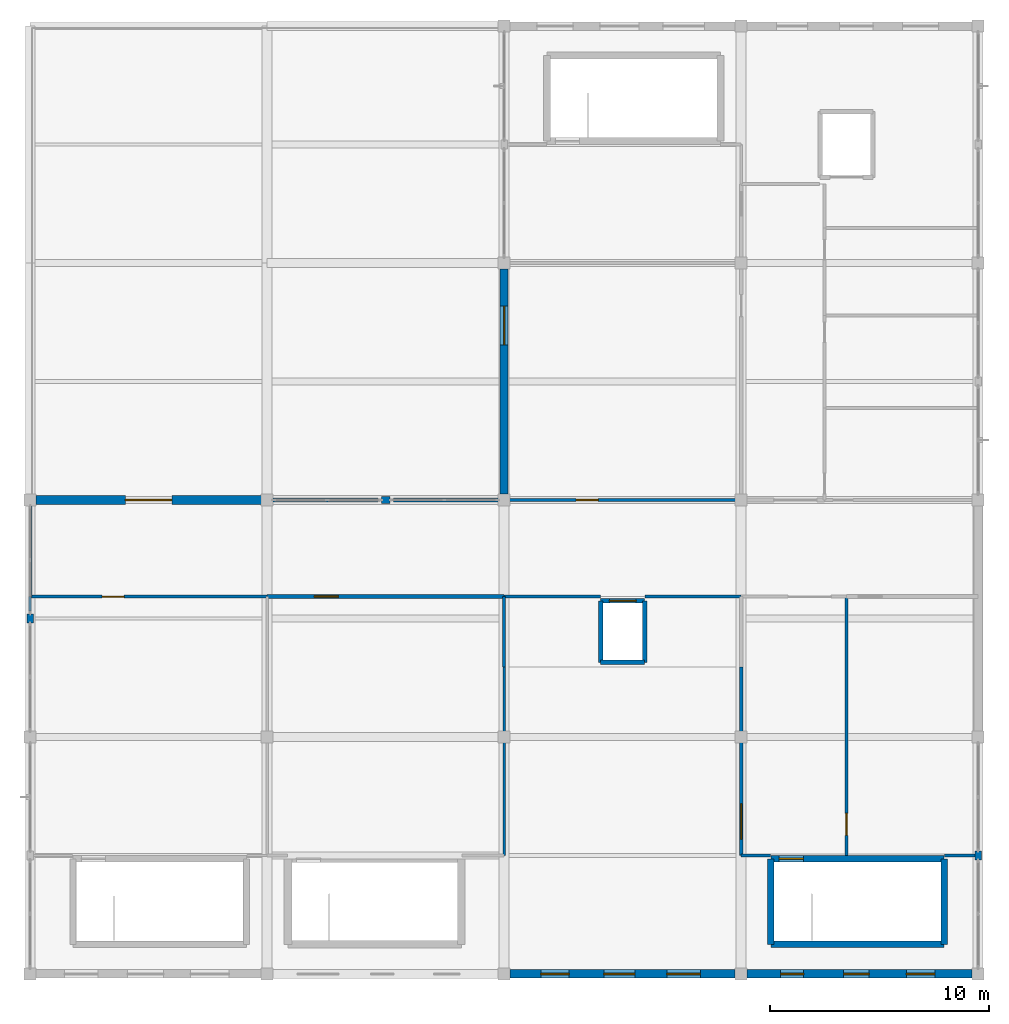
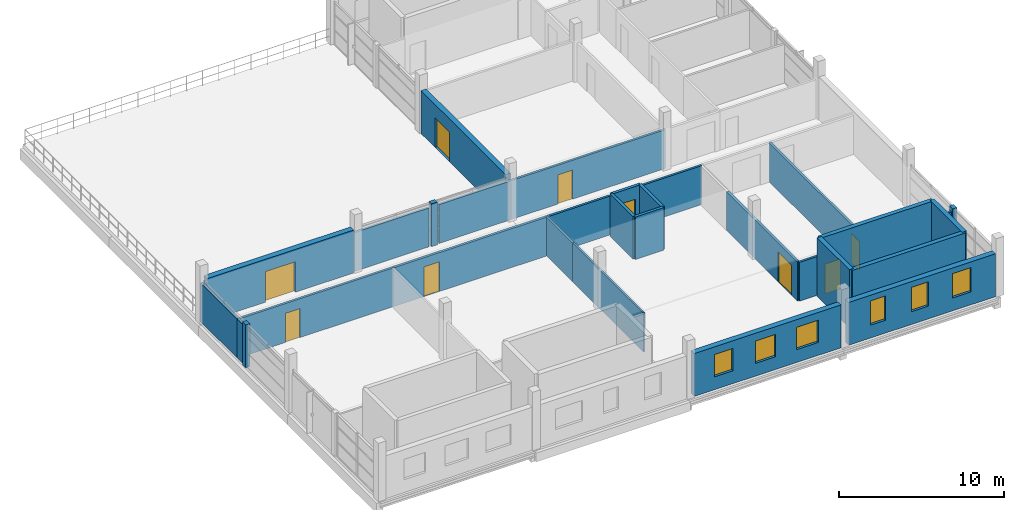
# One storey, part 12 of 15: 30 walls, 9 doors, 6 windows, 15 openings.
"""IFC4 building model written with IfcOpenShell, lengths in metres."""

from ifc_helpers import new_model, si_unit, direction, frame, frame_2d, origin, place, context, subcontext, project, spatial, rectangle, extrude, material, layer, layer_set, type_object, element, fill, save


model = new_model("IFC4")

# Units and contexts
model_context = context("Model", 3, precision=1e-05, world=origin(), true_north=direction((0.0, 1.0)))
body_context = subcontext(model_context, "Body", "Model", "MODEL_VIEW")
ifc_project = project(units=[si_unit("LENGTHUNIT", "METRE"), si_unit("AREAUNIT", "SQUARE_METRE"), si_unit("VOLUMEUNIT", "CUBIC_METRE"), si_unit("PLANEANGLEUNIT", "RADIAN"), si_unit("MASSUNIT", "GRAM", prefix="KILO")], contexts=[model_context])

# Site, building, storey
site_placement = place(None, origin())
site = spatial("IfcSite", under=ifc_project, at=site_placement, CompositionType="ELEMENT")
building_placement = place(site_placement, origin())
building = spatial("IfcBuilding", under=site, at=building_placement, Name="Zwinboog Wholesale Market", CompositionType="ELEMENT")
storey_placement = place(building_placement, frame((0.0, 0.0, 14.760009765625)))
storey = spatial("IfcBuildingStorey", under=building, at=storey_placement, Name="L03", CompositionType="ELEMENT", Elevation=14.760009765625)

# Wall, opening, door
ifc_material_1 = material(Name="Precast concrete C45/55", Category="concrete")
ifc_layer_1 = layer(ifc_material_1, 0.3701171875)
ifc_layer_set_1 = layer_set([ifc_layer_1], Name="Precast concrete C45/55")
wall_type_1 = type_object("IfcWallType", Name="WT-EW-370", PredefinedType="STANDARD", material=ifc_layer_set_1)
wall_1_placement = place(storey_placement, frame((151.199951171875, 21.8701171875, 0.0), z_axis=(0.0, 0.0, 1.0), x_axis=(0.0, 1.0, 0.0)))
wall_1 = element("IfcWall", 1, at=wall_1_placement, inside=storey, type_object=wall_type_1, Name="EW-01 (WL-EW-L03-222)", PredefinedType="STANDARD", context=body_context, shape_type="SweptSolid", body=[
    extrude(rectangle(XDim=10.259765625, YDim=0.3701171875, at=frame_2d((5.1298828125, 0.0))), origin(), (0.0, 0.0, 1.0), 3.169921875),
])
opening_1_placement = place(wall_1_placement, frame((6.800048828125, 0.0, 0.0)))
opening_1 = element("IfcOpeningElement", 2, at=opening_1_placement, cuts=wall_1, Name="Opening TD-35", PredefinedType="OPENING", context=body_context, shape_type="SweptSolid", body=[
    extrude(rectangle(XDim=1.760009765625, YDim=2.199951171875, at=frame_2d((0.8798828125, 1.10009765625))), frame((0.0, 0.195068359375, 0.0), z_axis=(0.0, -1.0, 0.0), x_axis=(1.0, 0.0, 0.0)), (0.0, 0.0, 1.0), 0.39013671875),
])
ifc_material_2 = material(Name="Insulated powder-coated steel and aluminium door", Category="steel")
door_type_1 = type_object("IfcDoorType", Name="EDT-TR-176", OperationType="DOUBLE_DOOR_SINGLE_SWING", PredefinedType="DOOR", material=ifc_material_2)
door_1_placement = place(opening_1_placement, origin())
door_1 = element("IfcDoor", 3, at=door_1_placement, inside=storey, type_object=door_type_1, Name="Terrace Access Door TD-35 (TR-L03-COOP)", OperationType="DOUBLE_DOOR_SINGLE_SWING", OverallHeight=2.199951171875, OverallWidth=1.760009765625, PredefinedType="DOOR", context=body_context, shape_type="SweptSolid", body=[
    extrude(rectangle(XDim=1.760009765625, YDim=2.199951171875, at=frame_2d((0.8798828125, 1.10009765625))), frame((0.0, 0.02490234375, 0.0), z_axis=(0.0, -1.0, 0.0), x_axis=(1.0, 0.0, 0.0)), (0.0, 0.0, 1.0), 0.050048828125),
])
fill(opening_1, door_1)

ifc_layer_2 = layer(ifc_material_1, 0.389892578125)
ifc_layer_set_2 = layer_set([ifc_layer_2], Name="Precast concrete C45/55")
wall_type_2 = type_object("IfcWallType", Name="WT-EW-390", PredefinedType="STANDARD", material=ifc_layer_set_2)
wall_2_placement = place(storey_placement, frame((129.8701171875, 21.60009765625, 0.0), z_axis=(0.0, 0.0, 1.0), x_axis=(1.0, 0.0, 0.0)))
wall_2 = element("IfcWall", 4, at=wall_2_placement, inside=storey, type_object=wall_type_2, Name="EW-02 (WL-EW-L03-217)", PredefinedType="STANDARD", context=body_context, shape_type="SweptSolid", body=[
    extrude(rectangle(XDim=10.259765625, YDim=0.389892578125, at=frame_2d((5.1298828125, 0.0))), origin(), (0.0, 0.0, 1.0), 3.169921875),
])
opening_2_placement = place(wall_2_placement, frame((4.070068359375, 0.0, 0.0)))
opening_2 = element("IfcOpeningElement", 5, at=opening_2_placement, cuts=wall_2, Name="Opening TD-34", PredefinedType="OPENING", context=body_context, shape_type="SweptSolid", body=[
    extrude(rectangle(XDim=2.1201171875, YDim=2.260009765625, at=frame_2d((1.06005859375, 1.1298828125))), frame((0.0, 0.204833984375, 0.0), z_axis=(0.0, -1.0, 0.0), x_axis=(1.0, 0.0, 0.0)), (0.0, 0.0, 1.0), 0.409912109375),
])
door_type_2 = type_object("IfcDoorType", Name="EDT-TR-212", OperationType="DOUBLE_DOOR_SINGLE_SWING", PredefinedType="DOOR", material=ifc_material_2)
door_2_placement = place(opening_2_placement, origin())
door_2 = element("IfcDoor", 6, at=door_2_placement, inside=storey, type_object=door_type_2, Name="Terrace Access Door TD-34 (TR-L03-COOP)", OperationType="DOUBLE_DOOR_SINGLE_SWING", OverallHeight=2.260009765625, OverallWidth=2.1201171875, PredefinedType="DOOR", context=body_context, shape_type="SweptSolid", body=[
    extrude(rectangle(XDim=2.1201171875, YDim=2.260009765625, at=frame_2d((1.06005859375, 1.1298828125))), frame((0.0, 0.02490234375, 0.0), z_axis=(0.0, -1.0, 0.0), x_axis=(1.0, 0.0, 0.0)), (0.0, 0.0, 1.0), 0.050048828125),
])
fill(opening_2, door_2)

# Wall, openings, windows
wall_3_placement = place(storey_placement, frame((151.469970703125, 0.0, 0.0), z_axis=(0.0, 0.0, 1.0), x_axis=(1.0, 0.0, 0.0)))
wall_3 = element("IfcWall", 7, at=wall_3_placement, inside=storey, type_object=wall_type_2, Name="EW-02 (WL-EW-L03-221)", PredefinedType="STANDARD", context=body_context, shape_type="SweptSolid", body=[
    extrude(rectangle(XDim=10.260009765625, YDim=0.389892578125, at=frame_2d((5.1298828125, 0.0))), origin(), (0.0, 0.0, 1.0), 3.169921875),
])
opening_3_placement = place(wall_3_placement, frame((1.405029296875, 0.0, 0.949951171875)))
opening_3 = element("IfcOpeningElement", 8, at=opening_3_placement, cuts=wall_3, Name="Opening WN-43", PredefinedType="OPENING", context=body_context, shape_type="SweptSolid", body=[
    extrude(rectangle(XDim=1.2900390625, YDim=1.64990234375, at=frame_2d((0.64501953125, 0.824951171875))), frame((0.0, 0.204833984375, 0.0), z_axis=(0.0, -1.0, 0.0), x_axis=(1.0, 0.0, 0.0)), (0.0, 0.0, 1.0), 0.409912109375),
])
opening_4_placement = place(wall_3_placement, frame((4.27490234375, 0.0, 0.949951171875)))
opening_4 = element("IfcOpeningElement", 9, at=opening_4_placement, cuts=wall_3, Name="Opening WN-44", PredefinedType="OPENING", context=body_context, shape_type="SweptSolid", body=[
    extrude(rectangle(XDim=1.409912109375, YDim=1.64990234375, at=frame_2d((0.705078125, 0.824951171875))), frame((0.0, 0.204833984375, 0.0), z_axis=(0.0, -1.0, 0.0), x_axis=(1.0, 0.0, 0.0)), (0.0, 0.0, 1.0), 0.409912109375),
])
opening_5_placement = place(wall_3_placement, frame((7.14501953125, 0.0, 0.949951171875)))
opening_5 = element("IfcOpeningElement", 10, at=opening_5_placement, cuts=wall_3, Name="Opening WN-45", PredefinedType="OPENING", context=body_context, shape_type="SweptSolid", body=[
    extrude(rectangle(XDim=1.530029296875, YDim=1.64990234375, at=frame_2d((0.76513671875, 0.824951171875))), frame((0.0, 0.204833984375, 0.0), z_axis=(0.0, -1.0, 0.0), x_axis=(1.0, 0.0, 0.0)), (0.0, 0.0, 1.0), 0.409912109375),
])
ifc_material_3 = material(Name="Thermally broken aluminium low-e window", Category="aluminium")
window_type_1 = type_object("IfcWindowType", Name="WNT-43", PartitioningType="SINGLE_PANEL", PredefinedType="WINDOW", material=ifc_material_3)
window_1_placement = place(opening_3_placement, frame((1.2900390625, 0.0, 0.0), z_axis=(0.0, 0.0, 1.0), x_axis=(-1.0, 0.0, 0.0)))
window_1 = element("IfcWindow", 11, at=window_1_placement, inside=storey, type_object=window_type_1, Name="WN-43 (WIN-L03-0259)", OverallHeight=1.64990234375, OverallWidth=1.2900390625, PartitioningType="SINGLE_PANEL", PredefinedType="WINDOW", context=body_context, shape_type="SweptSolid", body=[
    extrude(rectangle(XDim=1.2900390625, YDim=1.64990234375, at=frame_2d((0.64501953125, 0.824951171875))), frame((0.0, 0.030029296875, 0.0), z_axis=(0.0, -1.0, 0.0), x_axis=(1.0, 0.0, 0.0)), (0.0, 0.0, 1.0), 0.06005859375),
])
fill(opening_3, window_1)
window_type_2 = type_object("IfcWindowType", Name="WNT-44", PartitioningType="SINGLE_PANEL", PredefinedType="WINDOW", material=ifc_material_3)
window_2_placement = place(opening_4_placement, frame((1.409912109375, 0.0, 0.0), z_axis=(0.0, 0.0, 1.0), x_axis=(-1.0, 0.0, 0.0)))
window_2 = element("IfcWindow", 12, at=window_2_placement, inside=storey, type_object=window_type_2, Name="WN-44 (WIN-L03-0260)", OverallHeight=1.64990234375, OverallWidth=1.409912109375, PartitioningType="SINGLE_PANEL", PredefinedType="WINDOW", context=body_context, shape_type="SweptSolid", body=[
    extrude(rectangle(XDim=1.409912109375, YDim=1.64990234375, at=frame_2d((0.705078125, 0.824951171875))), frame((0.0, 0.030029296875, 0.0), z_axis=(0.0, -1.0, 0.0), x_axis=(1.0, 0.0, 0.0)), (0.0, 0.0, 1.0), 0.06005859375),
])
fill(opening_4, window_2)
window_type_3 = type_object("IfcWindowType", Name="WNT-45", PartitioningType="SINGLE_PANEL", PredefinedType="WINDOW", material=ifc_material_3)
window_3_placement = place(opening_5_placement, frame((1.530029296875, 0.0, 0.0), z_axis=(0.0, 0.0, 1.0), x_axis=(-1.0, 0.0, 0.0)))
window_3 = element("IfcWindow", 13, at=window_3_placement, inside=storey, type_object=window_type_3, Name="WN-45 (WIN-L03-0261)", OverallHeight=1.64990234375, OverallWidth=1.530029296875, PartitioningType="SINGLE_PANEL", PredefinedType="WINDOW", context=body_context, shape_type="SweptSolid", body=[
    extrude(rectangle(XDim=1.530029296875, YDim=1.64990234375, at=frame_2d((0.76513671875, 0.824951171875))), frame((0.0, 0.030029296875, 0.0), z_axis=(0.0, -1.0, 0.0), x_axis=(1.0, 0.0, 0.0)), (0.0, 0.0, 1.0), 0.06005859375),
])
fill(opening_5, window_3)

wall_4_placement = place(storey_placement, frame((162.27001953125, 0.0, 0.0), z_axis=(0.0, 0.0, 1.0), x_axis=(1.0, 0.0, 0.0)))
wall_4 = element("IfcWall", 14, at=wall_4_placement, inside=storey, type_object=wall_type_2, Name="EW-02 (WL-EW-L03-225)", PredefinedType="STANDARD", context=body_context, shape_type="SweptSolid", body=[
    extrude(rectangle(XDim=10.260009765625, YDim=0.389892578125, at=frame_2d((5.1298828125, 0.0))), origin(), (0.0, 0.0, 1.0), 3.169921875),
])
opening_6_placement = place(wall_4_placement, frame((1.52490234375, 0.0, 0.949951171875)))
opening_6 = element("IfcOpeningElement", 15, at=opening_6_placement, cuts=wall_4, Name="Opening WN-49", PredefinedType="OPENING", context=body_context, shape_type="SweptSolid", body=[
    extrude(rectangle(XDim=1.050048828125, YDim=1.800048828125, at=frame_2d((0.52490234375, 0.89990234375))), frame((0.0, 0.204833984375, 0.0), z_axis=(0.0, -1.0, 0.0), x_axis=(1.0, 0.0, 0.0)), (0.0, 0.0, 1.0), 0.409912109375),
])
opening_7_placement = place(wall_4_placement, frame((4.39501953125, 0.0, 0.949951171875)))
opening_7 = element("IfcOpeningElement", 16, at=opening_7_placement, cuts=wall_4, Name="Opening WN-50", PredefinedType="OPENING", context=body_context, shape_type="SweptSolid", body=[
    extrude(rectangle(XDim=1.169921875, YDim=1.800048828125, at=frame_2d((0.5849609375, 0.89990234375))), frame((0.0, 0.204833984375, 0.0), z_axis=(0.0, -1.0, 0.0), x_axis=(1.0, 0.0, 0.0)), (0.0, 0.0, 1.0), 0.409912109375),
])
opening_8_placement = place(wall_4_placement, frame((7.264892578125, 0.0, 0.949951171875)))
opening_8 = element("IfcOpeningElement", 17, at=opening_8_placement, cuts=wall_4, Name="Opening WN-51", PredefinedType="OPENING", context=body_context, shape_type="SweptSolid", body=[
    extrude(rectangle(XDim=1.2900390625, YDim=1.800048828125, at=frame_2d((0.64501953125, 0.89990234375))), frame((0.0, 0.204833984375, 0.0), z_axis=(0.0, -1.0, 0.0), x_axis=(1.0, 0.0, 0.0)), (0.0, 0.0, 1.0), 0.409912109375),
])
window_type_4 = type_object("IfcWindowType", Name="WNT-49", PartitioningType="SINGLE_PANEL", PredefinedType="WINDOW", material=ifc_material_3)
window_4_placement = place(opening_6_placement, frame((1.050048828125, 0.0, 0.0), z_axis=(0.0, 0.0, 1.0), x_axis=(-1.0, 0.0, 0.0)))
window_4 = element("IfcWindow", 18, at=window_4_placement, inside=storey, type_object=window_type_4, Name="WN-49 (WIN-L03-0265)", OverallHeight=1.800048828125, OverallWidth=1.050048828125, PartitioningType="SINGLE_PANEL", PredefinedType="WINDOW", context=body_context, shape_type="SweptSolid", body=[
    extrude(rectangle(XDim=1.050048828125, YDim=1.800048828125, at=frame_2d((0.52490234375, 0.89990234375))), frame((0.0, 0.030029296875, 0.0), z_axis=(0.0, -1.0, 0.0), x_axis=(1.0, 0.0, 0.0)), (0.0, 0.0, 1.0), 0.06005859375),
])
fill(opening_6, window_4)
window_type_5 = type_object("IfcWindowType", Name="WNT-50", PartitioningType="SINGLE_PANEL", PredefinedType="WINDOW", material=ifc_material_3)
window_5_placement = place(opening_7_placement, frame((1.169921875, 0.0, 0.0), z_axis=(0.0, 0.0, 1.0), x_axis=(-1.0, 0.0, 0.0)))
window_5 = element("IfcWindow", 19, at=window_5_placement, inside=storey, type_object=window_type_5, Name="WN-50 (WIN-L03-0266)", OverallHeight=1.800048828125, OverallWidth=1.169921875, PartitioningType="SINGLE_PANEL", PredefinedType="WINDOW", context=body_context, shape_type="SweptSolid", body=[
    extrude(rectangle(XDim=1.169921875, YDim=1.800048828125, at=frame_2d((0.5849609375, 0.89990234375))), frame((0.0, 0.030029296875, 0.0), z_axis=(0.0, -1.0, 0.0), x_axis=(1.0, 0.0, 0.0)), (0.0, 0.0, 1.0), 0.06005859375),
])
fill(opening_7, window_5)
window_type_6 = type_object("IfcWindowType", Name="WNT-51", PartitioningType="SINGLE_PANEL", PredefinedType="WINDOW", material=ifc_material_3)
window_6_placement = place(opening_8_placement, frame((1.2900390625, 0.0, 0.0), z_axis=(0.0, 0.0, 1.0), x_axis=(-1.0, 0.0, 0.0)))
window_6 = element("IfcWindow", 20, at=window_6_placement, inside=storey, type_object=window_type_6, Name="WN-51 (WIN-L03-0267)", OverallHeight=1.800048828125, OverallWidth=1.2900390625, PartitioningType="SINGLE_PANEL", PredefinedType="WINDOW", context=body_context, shape_type="SweptSolid", body=[
    extrude(rectangle(XDim=1.2900390625, YDim=1.800048828125, at=frame_2d((0.64501953125, 0.89990234375))), frame((0.0, 0.030029296875, 0.0), z_axis=(0.0, -1.0, 0.0), x_axis=(1.0, 0.0, 0.0)), (0.0, 0.0, 1.0), 0.06005859375),
])
fill(opening_8, window_6)

# Walls
ifc_layer_3 = layer(ifc_material_1, 0.304931640625)
ifc_layer_set_3 = layer_set([ifc_layer_3], Name="Precast concrete C45/55")
wall_type_3 = type_object("IfcWallType", Name="WT-EW-305", PredefinedType="STANDARD", material=ifc_layer_set_3)
for number, where, z_axis, x_axis, name in (
    (21, (129.60009765625, 16.0, 0.0), (0.0, 0.0, 1.0), (0.0, 1.0, 0.0), "EW-07 (WL-PIER-L03-218)"),
    (22, (145.60009765625, 21.60009765625, 0.0), (0.0, 0.0, 1.0), (1.0, 0.0, 0.0), "EW-07 (WL-PIER-L03-220)"),
):
    element("IfcWall", number, at=place(storey_placement, frame(where, z_axis=z_axis, x_axis=x_axis)), inside=storey, type_object=wall_type_3, Name=name, PredefinedType="STANDARD", context=body_context, shape_type="SweptSolid", body=[
        extrude(rectangle(XDim=0.39990234375, YDim=0.304931640625, at=frame_2d((0.199951171875, 0.0))), origin(), (0.0, 0.0, 1.0), 3.169921875),
    ])
wall_5_placement = place(storey_placement, frame((172.800048828125, 5.199951171875, 0.0), z_axis=(0.0, 0.0, 1.0), x_axis=(0.0, 1.0, 0.0)))
element("IfcWall", 23, at=wall_5_placement, inside=storey, type_object=wall_type_3, Name="EW-07 (WL-PIER-L03-226)", PredefinedType="STANDARD", context=body_context, shape_type="SweptSolid", body=[
    extrude(rectangle(XDim=0.400146484375, YDim=0.304931640625, at=frame_2d((0.2001953125, 0.0))), origin(), (0.0, 0.0, 1.0), 3.169921875),
])
ifc_material_4 = material(Name="Concrete C40/50", Category="concrete")
ifc_layer_4 = layer(ifc_material_4, 0.300048828125)
ifc_layer_set_4 = layer_set([ifc_layer_4], Name="Concrete C40/50")
wall_type_4 = type_object("IfcWallType", Name="WT-SW-300", PredefinedType="SHEAR", material=ifc_layer_set_4)
wall_6_placement = place(storey_placement, frame((163.35009765625, 1.35009765625, 0.0), z_axis=(0.0, 0.0, 1.0), x_axis=(1.0, 0.0, 0.0)))
element("IfcWall", 24, at=wall_6_placement, inside=storey, type_object=wall_type_4, Name="SW-02 (WL-SW-L03-109)", PredefinedType="SHEAR", context=body_context, shape_type="SweptSolid", body=[
    extrude(rectangle(XDim=7.89990234375, YDim=0.300048828125, at=frame_2d((3.949951171875, 0.0))), origin(), (0.0, 0.0, 1.0), 4.320068359375),
])

# Wall, opening, door
wall_7_placement = place(storey_placement, frame((163.35009765625, 5.25, 0.0), z_axis=(0.0, 0.0, 1.0), x_axis=(1.0, 0.0, 0.0)))
wall_7 = element("IfcWall", 25, at=wall_7_placement, inside=storey, type_object=wall_type_4, Name="SW-02 (WL-SW-L03-110)", PredefinedType="SHEAR", context=body_context, shape_type="SweptSolid", body=[
    extrude(rectangle(XDim=7.89990234375, YDim=0.300048828125, at=frame_2d((3.949951171875, 0.0))), origin(), (0.0, 0.0, 1.0), 4.320068359375),
])
opening_9_placement = place(wall_7_placement, frame((0.3798828125, 0.0, 0.0)))
opening_9 = element("IfcOpeningElement", 26, at=opening_9_placement, cuts=wall_7, Name="Opening FD-0028", PredefinedType="OPENING", context=body_context, shape_type="SweptSolid", body=[
    extrude(rectangle(XDim=1.10009765625, YDim=2.199951171875, at=frame_2d((0.550048828125, 1.10009765625))), frame((0.0, 0.159912109375, 0.0), z_axis=(0.0, -1.0, 0.0), x_axis=(1.0, 0.0, 0.0)), (0.0, 0.0, 1.0), 0.320068359375),
])
ifc_material_5 = material(Name="Timber and powder-coated steel door leaf", Category="steel")
door_type_3 = type_object("IfcDoorType", Name="IDT-FD-02", OperationType="NOTDEFINED", PredefinedType="DOOR", material=ifc_material_5)
door_3_placement = place(opening_9_placement, origin())
door_3 = element("IfcDoor", 27, at=door_3_placement, inside=storey, type_object=door_type_3, Name="Core Fire Door FD-0028", OperationType="SINGLE_SWING_LEFT", OverallHeight=2.199951171875, OverallWidth=1.10009765625, PredefinedType="DOOR", context=body_context, shape_type="SweptSolid", body=[
    extrude(rectangle(XDim=1.10009765625, YDim=2.199951171875, at=frame_2d((0.550048828125, 1.10009765625))), frame((0.0, 0.02490234375, 0.0), z_axis=(0.0, -1.0, 0.0), x_axis=(1.0, 0.0, 0.0)), (0.0, 0.0, 1.0), 0.050048828125),
])
fill(opening_9, door_3)

# Walls
for number, where, z_axis, x_axis, name in (
    (28, (163.35009765625, 1.35009765625, 0.0), (0.0, 0.0, 1.0), (0.0, 1.0, 0.0), "SW-02 (WL-SW-L03-111)"),
    (29, (171.25, 1.35009765625, 0.0), (0.0, 0.0, 1.0), (0.0, 1.0, 0.0), "SW-02 (WL-SW-L03-112)"),
):
    element("IfcWall", number, at=place(storey_placement, frame(where, z_axis=z_axis, x_axis=x_axis)), inside=storey, type_object=wall_type_4, Name=name, PredefinedType="SHEAR", context=body_context, shape_type="SweptSolid", body=[
        extrude(rectangle(XDim=3.89990234375, YDim=0.300048828125, at=frame_2d((1.949951171875, 0.0))), origin(), (0.0, 0.0, 1.0), 4.320068359375),
    ])
ifc_layer_5 = layer(ifc_material_1, 0.199951171875)
ifc_layer_set_5 = layer_set([ifc_layer_5], Name="Precast concrete C45/55")
wall_type_5 = type_object("IfcWallType", Name="WT-IW-200", PredefinedType="SOLIDWALL", material=ifc_layer_set_5)
wall_8_placement = place(storey_placement, frame((155.60009765625, 14.199951171875, 0.0), z_axis=(0.0, 0.0, 1.0), x_axis=(1.0, 0.0, 0.0)))
element("IfcWall", 30, at=wall_8_placement, inside=storey, type_object=wall_type_5, Name="IW-60 (WL-LSH-L03-225)", PredefinedType="SOLIDWALL", context=body_context, shape_type="SweptSolid", body=[
    extrude(rectangle(XDim=2.0, YDim=0.199951171875, at=frame_2d((1.0, 0.0))), origin(), (0.0, 0.0, 1.0), 3.139892578125),
])

# Wall, opening, door
wall_9_placement = place(storey_placement, frame((155.60009765625, 17.0, 0.0), z_axis=(0.0, 0.0, 1.0), x_axis=(1.0, 0.0, 0.0)))
wall_9 = element("IfcWall", 31, at=wall_9_placement, inside=storey, type_object=wall_type_5, Name="IW-60 (WL-LSH-L03-226)", PredefinedType="SOLIDWALL", context=body_context, shape_type="SweptSolid", body=[
    extrude(rectangle(XDim=2.0, YDim=0.199951171875, at=frame_2d((1.0, 0.0))), origin(), (0.0, 0.0, 1.0), 3.139892578125),
])
opening_10_placement = place(wall_9_placement, frame((0.389892578125, 0.0, 0.0)))
opening_10 = element("IfcOpeningElement", 32, at=opening_10_placement, cuts=wall_9, Name="Opening LD-015", PredefinedType="OPENING", context=body_context, shape_type="SweptSolid", body=[
    extrude(rectangle(XDim=1.219970703125, YDim=2.199951171875, at=frame_2d((0.60986328125, 1.10009765625))), frame((0.0, 0.10986328125, 0.0), z_axis=(0.0, -1.0, 0.0), x_axis=(1.0, 0.0, 0.0)), (0.0, 0.0, 1.0), 0.219970703125),
])
door_type_4 = type_object("IfcDoorType", Name="IDT-LD-120", OperationType="DOUBLE_DOOR_SLIDING", PredefinedType="DOOR", material=ifc_material_5)
door_4_placement = place(opening_10_placement, origin())
door_4 = element("IfcDoor", 33, at=door_4_placement, inside=storey, type_object=door_type_4, Name="Lift Landing Door LD-015 (LP-06)", OperationType="DOUBLE_DOOR_SLIDING", OverallHeight=2.199951171875, OverallWidth=1.219970703125, PredefinedType="DOOR", context=body_context, shape_type="SweptSolid", body=[
    extrude(rectangle(XDim=1.219970703125, YDim=2.199951171875, at=frame_2d((0.60986328125, 1.10009765625))), frame((0.0, 0.02490234375, 0.0), z_axis=(0.0, -1.0, 0.0), x_axis=(1.0, 0.0, 0.0)), (0.0, 0.0, 1.0), 0.050048828125),
])
fill(opening_10, door_4)

# Walls
for number, where, z_axis, x_axis, name in (
    (34, (155.60009765625, 14.199951171875, 0.0), (0.0, 0.0, 1.0), (0.0, 1.0, 0.0), "IW-60 (WL-LSH-L03-227)"),
    (35, (157.60009765625, 14.199951171875, 0.0), (0.0, 0.0, 1.0), (0.0, 1.0, 0.0), "IW-60 (WL-LSH-L03-228)"),
):
    element("IfcWall", number, at=place(storey_placement, frame(where, z_axis=z_axis, x_axis=x_axis)), inside=storey, type_object=wall_type_5, Name=name, PredefinedType="SOLIDWALL", context=body_context, shape_type="SweptSolid", body=[
        extrude(rectangle(XDim=2.800048828125, YDim=0.199951171875, at=frame_2d((1.39990234375, 0.0))), origin(), (0.0, 0.0, 1.0), 3.139892578125),
    ])
ifc_material_6 = material(Name="Gypsum acoustic stud partition")
ifc_layer_6 = layer(ifc_material_6, 0.1240234375)
ifc_layer_set_6 = layer_set([ifc_layer_6], Name="Gypsum acoustic stud partition")
wall_type_6 = type_object("IfcWallType", Name="WT-PT-124", PredefinedType="PARTITIONING", material=ifc_layer_set_6)
wall_10_placement = place(storey_placement, frame((151.199951171875, 5.39990234375, 0.0), z_axis=(0.0, 0.0, 1.0), x_axis=(0.0, 1.0, 0.0)))
element("IfcWall", 36, at=wall_10_placement, inside=storey, type_object=wall_type_6, Name="PW-02 (WL-IN-L03-0323)", PredefinedType="PARTITIONING", context=body_context, shape_type="SweptSolid", body=[
    extrude(rectangle(XDim=8.60009765625, YDim=0.1240234375, at=frame_2d((4.300048828125, 0.0))), origin(), (0.0, 0.0, 1.0), 2.869873046875),
])
ifc_material_7 = material(Name="Hygienic washable stud partition")
ifc_layer_7 = layer(ifc_material_7, 0.137939453125)
ifc_layer_set_7 = layer_set([ifc_layer_7], Name="Hygienic washable stud partition")
wall_type_7 = type_object("IfcWallType", Name="WT-PT-138", PredefinedType="PARTITIONING", material=ifc_layer_set_7)
wall_11_placement = place(storey_placement, frame((129.60009765625, 16.552490234375, 0.0), z_axis=(0.0, 0.0, 1.0), x_axis=(0.0, 1.0, 0.0)))
element("IfcWall", 37, at=wall_11_placement, inside=storey, type_object=wall_type_7, Name="PW-03 (WL-IN-L03-0316)", PredefinedType="PARTITIONING", context=body_context, shape_type="SweptSolid", body=[
    extrude(rectangle(XDim=0.6474609375, YDim=0.137939453125, at=frame_2d((0.32373046875, 0.0))), origin(), (0.0, 0.0, 1.0), 2.869873046875),
])
wall_12_placement = place(storey_placement, frame((151.199951171875, 14.0, 0.0), z_axis=(0.0, 0.0, 1.0), x_axis=(0.0, 1.0, 0.0)))
element("IfcWall", 38, at=wall_12_placement, inside=storey, type_object=wall_type_7, Name="PW-03 (WL-IN-L03-0324)", PredefinedType="PARTITIONING", context=body_context, shape_type="SweptSolid", body=[
    extrude(rectangle(XDim=3.199951171875, YDim=0.137939453125, at=frame_2d((1.60009765625, 0.0))), origin(), (0.0, 0.0, 1.0), 2.869873046875),
])
wall_13_placement = place(storey_placement, frame((171.27001953125, 5.39990234375, 0.0), z_axis=(0.0, 0.0, 1.0), x_axis=(1.0, 0.0, 0.0)))
element("IfcWall", 39, at=wall_13_placement, inside=storey, type_object=wall_type_7, Name="PW-03 (WL-IN-L03-0339)", PredefinedType="PARTITIONING", context=body_context, shape_type="SweptSolid", body=[
    extrude(rectangle(XDim=1.3974609375, YDim=0.137939453125, at=frame_2d((0.69873046875, 0.0))), origin(), (0.0, 0.0, 1.0), 2.869873046875),
])

# Wall, opening, door
ifc_material_8 = material(Name="Fire-rated corridor stud partition")
ifc_layer_8 = layer(ifc_material_8, 0.154052734375)
ifc_layer_set_8 = layer_set([ifc_layer_8], Name="Fire-rated corridor stud partition")
wall_type_8 = type_object("IfcWallType", Name="WT-PT-154", PredefinedType="PARTITIONING", material=ifc_layer_set_8)
wall_14_placement = place(storey_placement, frame((129.60009765625, 17.199951171875, 0.0), z_axis=(0.0, 0.0, 1.0), x_axis=(1.0, 0.0, 0.0)))
wall_14 = element("IfcWall", 40, at=wall_14_placement, inside=storey, type_object=wall_type_8, Name="PW-04 (WL-IN-L03-0305)", PredefinedType="PARTITIONING", context=body_context, shape_type="SweptSolid", body=[
    extrude(rectangle(XDim=10.7998046875, YDim=0.154052734375, at=frame_2d((5.39990234375, 0.0))), origin(), (0.0, 0.0, 1.0), 2.869873046875),
])
opening_11_placement = place(wall_14_placement, frame((3.280029296875, 0.0, 0.0)))
opening_11 = element("IfcOpeningElement", 41, at=opening_11_placement, cuts=wall_14, Name="Opening IDF-0101", PredefinedType="OPENING", context=body_context, shape_type="SweptSolid", body=[
    extrude(rectangle(XDim=1.0, YDim=2.14990234375, at=frame_2d((0.5, 1.074951171875))), frame((0.0, 0.0869140625, 0.0), z_axis=(0.0, -1.0, 0.0), x_axis=(1.0, 0.0, 0.0)), (0.0, 0.0, 1.0), 0.174072265625),
])
door_type_5 = type_object("IfcDoorType", Name="IDT-FD-01", OperationType="NOTDEFINED", PredefinedType="DOOR", material=ifc_material_5)
door_5_placement = place(opening_11_placement, origin())
door_5 = element("IfcDoor", 42, at=door_5_placement, inside=storey, type_object=door_type_5, Name="Interior Door IDF-0101", OperationType="SINGLE_SWING_RIGHT", OverallHeight=2.14990234375, OverallWidth=1.0, PredefinedType="DOOR", context=body_context, shape_type="SweptSolid", body=[
    extrude(rectangle(XDim=1.0, YDim=2.14990234375, at=frame_2d((0.5, 1.074951171875))), frame((0.0, 0.02490234375, 0.0), z_axis=(0.0, -1.0, 0.0), x_axis=(1.0, 0.0, 0.0)), (0.0, 0.0, 1.0), 0.050048828125),
])
fill(opening_11, door_5)

wall_15_placement = place(storey_placement, frame((151.199951171875, 21.60009765625, 0.0), z_axis=(0.0, 0.0, 1.0), x_axis=(1.0, 0.0, 0.0)))
wall_15 = element("IfcWall", 43, at=wall_15_placement, inside=storey, type_object=wall_type_8, Name="PW-04 (WL-IN-L03-0307)", PredefinedType="PARTITIONING", context=body_context, shape_type="SweptSolid", body=[
    extrude(rectangle(XDim=10.800048828125, YDim=0.154052734375, at=frame_2d((5.39990234375, 0.0))), origin(), (0.0, 0.0, 1.0), 2.869873046875),
])
opening_12_placement = place(wall_15_placement, frame((3.280029296875, 0.0, 0.0)))
opening_12 = element("IfcOpeningElement", 44, at=opening_12_placement, cuts=wall_15, Name="Opening IDF-0103", PredefinedType="OPENING", context=body_context, shape_type="SweptSolid", body=[
    extrude(rectangle(XDim=1.0, YDim=2.14990234375, at=frame_2d((0.5, 1.074951171875))), frame((0.0, 0.0869140625, 0.0), z_axis=(0.0, -1.0, 0.0), x_axis=(1.0, 0.0, 0.0)), (0.0, 0.0, 1.0), 0.174072265625),
])
door_6_placement = place(opening_12_placement, origin())
door_6 = element("IfcDoor", 45, at=door_6_placement, inside=storey, type_object=door_type_5, Name="Interior Door IDF-0103", OperationType="SINGLE_SWING_RIGHT", OverallHeight=2.14990234375, OverallWidth=1.0, PredefinedType="DOOR", context=body_context, shape_type="SweptSolid", body=[
    extrude(rectangle(XDim=1.0, YDim=2.14990234375, at=frame_2d((0.5, 1.074951171875))), frame((0.0, 0.02490234375, 0.0), z_axis=(0.0, -1.0, 0.0), x_axis=(1.0, 0.0, 0.0)), (0.0, 0.0, 1.0), 0.050048828125),
])
fill(opening_12, door_6)

wall_16_placement = place(storey_placement, frame((166.800048828125, 5.39990234375, 0.0), z_axis=(0.0, 0.0, 1.0), x_axis=(0.0, 1.0, 0.0)))
wall_16 = element("IfcWall", 46, at=wall_16_placement, inside=storey, type_object=wall_type_8, Name="PW-04 (WL-IN-L03-0311)", PredefinedType="PARTITIONING", context=body_context, shape_type="SweptSolid", body=[
    extrude(rectangle(XDim=11.800048828125, YDim=0.154052734375, at=frame_2d((5.89990234375, 0.0))), origin(), (0.0, 0.0, 1.0), 2.869873046875),
])
opening_13_placement = place(wall_16_placement, frame((0.916015625, 0.0, 0.0)))
opening_13 = element("IfcOpeningElement", 47, at=opening_13_placement, cuts=wall_16, Name="Opening IDF-0107", PredefinedType="OPENING", context=body_context, shape_type="SweptSolid", body=[
    extrude(rectangle(XDim=1.0, YDim=2.14990234375, at=frame_2d((0.5, 1.074951171875))), frame((0.0, 0.0869140625, 0.0), z_axis=(0.0, -1.0, 0.0), x_axis=(1.0, 0.0, 0.0)), (0.0, 0.0, 1.0), 0.174072265625),
])
door_7_placement = place(opening_13_placement, origin())
door_7 = element("IfcDoor", 48, at=door_7_placement, inside=storey, type_object=door_type_5, Name="Interior Door IDF-0107", OperationType="SINGLE_SWING_RIGHT", OverallHeight=2.14990234375, OverallWidth=1.0, PredefinedType="DOOR", context=body_context, shape_type="SweptSolid", body=[
    extrude(rectangle(XDim=1.0, YDim=2.14990234375, at=frame_2d((0.5, 1.074951171875))), frame((0.0, 0.02490234375, 0.0), z_axis=(0.0, -1.0, 0.0), x_axis=(1.0, 0.0, 0.0)), (0.0, 0.0, 1.0), 0.050048828125),
])
fill(opening_13, door_7)

# Walls
wall_17_placement = place(storey_placement, frame((129.60009765625, 17.199951171875, 0.0), z_axis=(0.0, 0.0, 1.0), x_axis=(0.0, 1.0, 0.0)))
element("IfcWall", 49, at=wall_17_placement, inside=storey, type_object=wall_type_8, Name="PW-04 (WL-IN-L03-0317)", PredefinedType="PARTITIONING", context=body_context, shape_type="SweptSolid", body=[
    extrude(rectangle(XDim=4.400146484375, YDim=0.154052734375, at=frame_2d((2.2001953125, 0.0))), origin(), (0.0, 0.0, 1.0), 2.869873046875),
])
wall_18_placement = place(storey_placement, frame((151.199951171875, 17.199951171875, 0.0), z_axis=(0.0, 0.0, 1.0), x_axis=(1.0, 0.0, 0.0)))
element("IfcWall", 50, at=wall_18_placement, inside=storey, type_object=wall_type_8, Name="PW-04 (WL-IN-L03-0325)", PredefinedType="PARTITIONING", context=body_context, shape_type="SweptSolid", body=[
    extrude(rectangle(XDim=4.380126953125, YDim=0.154052734375, at=frame_2d((2.18994140625, 0.0))), origin(), (0.0, 0.0, 1.0), 2.869873046875),
])
wall_19_placement = place(storey_placement, frame((157.6201171875, 17.199951171875, 0.0), z_axis=(0.0, 0.0, 1.0), x_axis=(1.0, 0.0, 0.0)))
element("IfcWall", 51, at=wall_19_placement, inside=storey, type_object=wall_type_8, Name="PW-04 (WL-IN-L03-0326)", PredefinedType="PARTITIONING", context=body_context, shape_type="SweptSolid", body=[
    extrude(rectangle(XDim=4.3798828125, YDim=0.154052734375, at=frame_2d((2.18994140625, 0.0))), origin(), (0.0, 0.0, 1.0), 2.869873046875),
])
wall_20_placement = place(storey_placement, frame((162.0, 5.39990234375, 0.0), z_axis=(0.0, 0.0, 1.0), x_axis=(1.0, 0.0, 0.0)))
element("IfcWall", 52, at=wall_20_placement, inside=storey, type_object=wall_type_8, Name="PW-04 (WL-IN-L03-0331)", PredefinedType="PARTITIONING", context=body_context, shape_type="SweptSolid", body=[
    extrude(rectangle(XDim=1.330078125, YDim=0.154052734375, at=frame_2d((0.6650390625, 0.0))), origin(), (0.0, 0.0, 1.0), 2.869873046875),
])

# Wall, opening, door
ifc_material_9 = material(Name="Laboratory acoustic partition")
ifc_layer_9 = layer(ifc_material_9, 0.16796875)
ifc_layer_set_9 = layer_set([ifc_layer_9], Name="Laboratory acoustic partition")
wall_type_9 = type_object("IfcWallType", Name="WT-PT-168", PredefinedType="PARTITIONING", material=ifc_layer_set_9)
wall_21_placement = place(storey_placement, frame((140.39990234375, 17.199951171875, 0.0), z_axis=(0.0, 0.0, 1.0), x_axis=(1.0, 0.0, 0.0)))
wall_21 = element("IfcWall", 53, at=wall_21_placement, inside=storey, type_object=wall_type_9, Name="PW-05 (WL-IN-L03-0306)", PredefinedType="PARTITIONING", context=body_context, shape_type="SweptSolid", body=[
    extrude(rectangle(XDim=10.800048828125, YDim=0.16796875, at=frame_2d((5.39990234375, 0.0))), origin(), (0.0, 0.0, 1.0), 2.869873046875),
])
opening_14_placement = place(wall_21_placement, frame((2.14990234375, 0.0, 0.0)))
opening_14 = element("IfcOpeningElement", 54, at=opening_14_placement, cuts=wall_21, Name="Opening IDF-0102", PredefinedType="OPENING", context=body_context, shape_type="SweptSolid", body=[
    extrude(rectangle(XDim=1.10009765625, YDim=2.199951171875, at=frame_2d((0.550048828125, 1.10009765625))), frame((0.0, 0.093994140625, 0.0), z_axis=(0.0, -1.0, 0.0), x_axis=(1.0, 0.0, 0.0)), (0.0, 0.0, 1.0), 0.18798828125),
])
door_8_placement = place(opening_14_placement, frame((1.10009765625, 0.0, 0.0), z_axis=(0.0, 0.0, 1.0), x_axis=(-1.0, 0.0, 0.0)))
door_8 = element("IfcDoor", 55, at=door_8_placement, inside=storey, type_object=door_type_3, Name="Interior Door IDF-0102", OperationType="SINGLE_SWING_LEFT", OverallHeight=2.199951171875, OverallWidth=1.10009765625, PredefinedType="DOOR", context=body_context, shape_type="SweptSolid", body=[
    extrude(rectangle(XDim=1.10009765625, YDim=2.199951171875, at=frame_2d((0.550048828125, 1.10009765625))), frame((0.0, 0.02490234375, 0.0), z_axis=(0.0, -1.0, 0.0), x_axis=(1.0, 0.0, 0.0)), (0.0, 0.0, 1.0), 0.050048828125),
])
fill(opening_14, door_8)

wall_22_placement = place(storey_placement, frame((162.0, 5.39990234375, 0.0), z_axis=(0.0, 0.0, 1.0), x_axis=(0.0, 1.0, 0.0)))
wall_22 = element("IfcWall", 56, at=wall_22_placement, inside=storey, type_object=wall_type_9, Name="PW-05 (WL-IN-L03-0308)", PredefinedType="PARTITIONING", context=body_context, shape_type="SweptSolid", body=[
    extrude(rectangle(XDim=8.60009765625, YDim=0.16796875, at=frame_2d((4.300048828125, 0.0))), origin(), (0.0, 0.0, 1.0), 2.869873046875),
])
opening_15_placement = place(wall_22_placement, frame((0.748046875, 0.0, 0.0)))
opening_15 = element("IfcOpeningElement", 57, at=opening_15_placement, cuts=wall_22, Name="Opening IDF-0104", PredefinedType="OPENING", context=body_context, shape_type="SweptSolid", body=[
    extrude(rectangle(XDim=1.60009765625, YDim=2.199951171875, at=frame_2d((0.800048828125, 1.10009765625))), frame((0.0, 0.093994140625, 0.0), z_axis=(0.0, -1.0, 0.0), x_axis=(1.0, 0.0, 0.0)), (0.0, 0.0, 1.0), 0.18798828125),
])
door_type_6 = type_object("IfcDoorType", Name="IDT-FD-03", OperationType="DOUBLE_DOOR_SINGLE_SWING", PredefinedType="DOOR", material=ifc_material_5)
door_9_placement = place(opening_15_placement, origin())
door_9 = element("IfcDoor", 58, at=door_9_placement, inside=storey, type_object=door_type_6, Name="Interior Door IDF-0104", OperationType="DOUBLE_DOOR_SINGLE_SWING", OverallHeight=2.199951171875, OverallWidth=1.60009765625, PredefinedType="DOOR", context=body_context, shape_type="SweptSolid", body=[
    extrude(rectangle(XDim=1.60009765625, YDim=2.199951171875, at=frame_2d((0.800048828125, 1.10009765625))), frame((0.0, 0.02490234375, 0.0), z_axis=(0.0, -1.0, 0.0), x_axis=(1.0, 0.0, 0.0)), (0.0, 0.0, 1.0), 0.050048828125),
])
fill(opening_15, door_9)

# Walls
wall_23_placement = place(storey_placement, frame((140.14990234375, 21.60009765625, 0.0), z_axis=(0.0, 0.0, 1.0), x_axis=(1.0, 0.0, 0.0)))
element("IfcWall", 59, at=wall_23_placement, inside=storey, type_object=wall_type_9, Name="PW-05 (WL-IN-L03-0318)", PredefinedType="PARTITIONING", context=body_context, shape_type="SweptSolid", body=[
    extrude(rectangle(XDim=5.297607421875, YDim=0.16796875, at=frame_2d((2.64892578125, 0.0))), origin(), (0.0, 0.0, 1.0), 2.869873046875),
])
wall_24_placement = place(storey_placement, frame((146.152587890625, 21.60009765625, 0.0), z_axis=(0.0, 0.0, 1.0), x_axis=(1.0, 0.0, 0.0)))
element("IfcWall", 60, at=wall_24_placement, inside=storey, type_object=wall_type_9, Name="PW-05 (WL-IN-L03-0319)", PredefinedType="PARTITIONING", context=body_context, shape_type="SweptSolid", body=[
    extrude(rectangle(XDim=5.04736328125, YDim=0.16796875, at=frame_2d((2.523681640625, 0.0))), origin(), (0.0, 0.0, 1.0), 2.869873046875),
])

save(model, "model.ifc")
